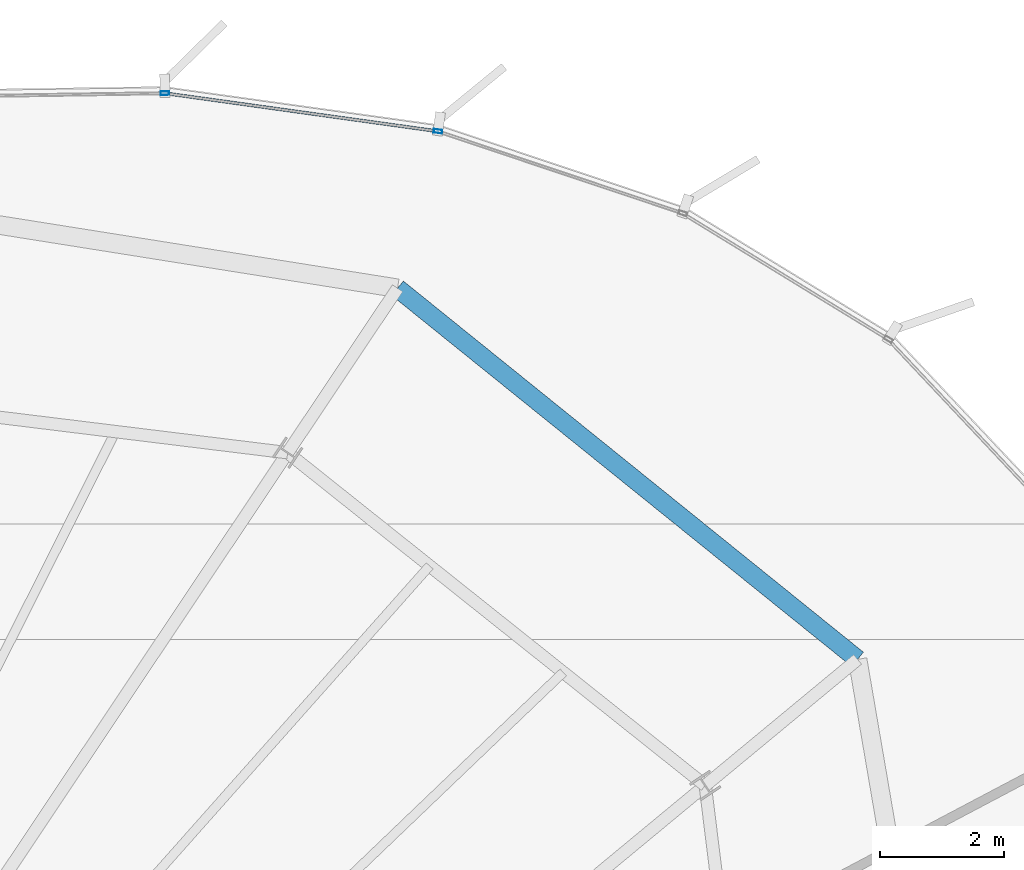
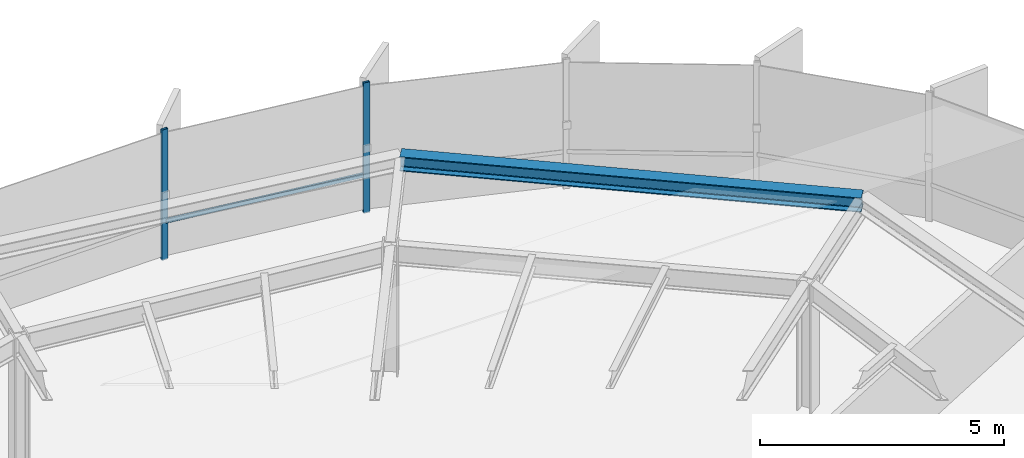
# One storey, part 26 of 36: 3 members, 1 beam, 1 element without a shape of its own.
"""IFC4 building model written with IfcOpenShell, lengths in metres."""

from ifc_helpers import new_model, si_unit, direction, frame, origin, origin_2d, place, context, subcontext, project, spatial, hollow_rectangle, i_section, extrude, source, transform, mapped, material, layer, layer_set, material_profile, profile_set, type_object, element, aggregate, save


model = new_model("IFC4")

# Units and contexts
model_context = context("Model", 3, precision=1e-05, world=origin(), true_north=direction((0.0, 1.0)))
body_context = subcontext(model_context, "Body", "Model", "MODEL_VIEW")
ifc_project = project(units=[si_unit("LENGTHUNIT", "METRE"), si_unit("AREAUNIT", "SQUARE_METRE"), si_unit("VOLUMEUNIT", "CUBIC_METRE"), si_unit("PLANEANGLEUNIT", "RADIAN"), si_unit("MASSUNIT", "GRAM", prefix="KILO"), si_unit("THERMODYNAMICTEMPERATUREUNIT", "KELVIN")], contexts=[model_context])

# Site, building, storey
site_placement = place(None, origin())
site = spatial("IfcSite", under=ifc_project, at=site_placement, CompositionType="ELEMENT")
building_placement = place(site_placement, origin())
building = spatial("IfcBuilding", under=site, at=building_placement, Name="Kethvar Cultural Tower", CompositionType="ELEMENT")
storey_placement = place(building_placement, frame((0.0, 0.0, 176.39990234375)))
storey = spatial("IfcBuildingStorey", under=building, at=storey_placement, Name="L45", CompositionType="ELEMENT", Elevation=176.39990234375)

# Beam
ifc_material_1 = material(Name="Steel S355J2", Category="steel")
ifc_material_profile_1 = material_profile(ifc_material_1, i_section(OverallWidth=0.300048828125, OverallDepth=0.360107421875, WebThickness=0.012451171875, FlangeThickness=0.0224609375, FilletRadius=0.027099609375, at=origin_2d()), Name="Steel S355J2 — HEB360")
ifc_profile_set_1 = profile_set([ifc_material_profile_1], Name="Steel S355J2 — HEB360")
beam_type = type_object("IfcBeamType", Name="BM-SP360", PredefinedType="SPANDREL", material=ifc_profile_set_1)
shared_shape_1 = source(origin(), body_context, "Body", "SweptSolid", [
    extrude(i_section(OverallWidth=0.300048828125, OverallDepth=0.360107421875, WebThickness=0.012451171875, FlangeThickness=0.0224609375, FilletRadius=0.027099609375, at=origin_2d()), origin(), (0.0, 0.0, 1.0), 9.563232421875),
])
beam_placement = place(storey_placement, frame((67.96923828125, 42.338134765625, 3.078125), z_axis=(-0.77833939171, 0.627843763458, 0.0), x_axis=(-0.627843763458, -0.77833939171, 0.0)))
element("IfcBeam", 1, at=beam_placement, inside=storey, type_object=beam_type, Name="L45 Perimeter Spandrel Beam SP-02", PredefinedType="SPANDREL", context=body_context, shape_type="MappedRepresentation", body=[
    mapped(shared_shape_1, transform((0.0, 0.0, 0.0), scale=1.0)),
])

# Curtain wall, members
ifc_material_2 = material(Name="Aluminium 6063-T6", Category="aluminium")
ifc_layer = layer(ifc_material_2, 0.179931640625, Name="Aluminium 6063-T6", Category="aluminium")
ifc_layer_set = layer_set([ifc_layer], Name="Aluminium 6063-T6 (180 mm)")
curtain_wall_type = type_object("IfcCurtainWallType", Name="CW-SYS-04-Z34", PredefinedType="NOTDEFINED", material=ifc_layer_set)
curtain_wall_placement = place(storey_placement, origin())
curtain_wall = element("IfcCurtainWall", 2, at=curtain_wall_placement, inside=storey, type_object=curtain_wall_type, Name="L45 Curtain Wall Run 01", PredefinedType="NOTDEFINED")
ifc_material_profile_2 = material_profile(ifc_material_2, hollow_rectangle(XDim=0.06005859375, YDim=0.139892578125, WallThickness=0.0048828125, at=origin_2d()), Name="Aluminium 6063-T6 — RHS140x60x5")
ifc_profile_set_2 = profile_set([ifc_material_profile_2], Name="Aluminium 6063-T6 — RHS140x60x5")
member_type_1 = type_object("IfcMemberType", Name="CW-SYS-04-Z34-MUL", PredefinedType="MULLION", material=ifc_profile_set_2)
shared_shape_2 = source(origin(), body_context, "Body", "SweptSolid", [
    extrude(hollow_rectangle(XDim=0.06005859375, YDim=0.139892578125, WallThickness=0.0048828125, at=origin_2d()), origin(), (0.0, 0.0, 1.0), 3.260009765625),
])
member_1_placement = place(storey_placement, frame((61.179931640625, 50.882080078125, 0.0), z_axis=(0.0, 0.0, 1.0), x_axis=(-0.137894010807, -0.9904469909, 0.0)))
member_1 = element("IfcMember", 3, at=member_1_placement, type_object=member_type_1, Name="CW-L45-R01 Mullion 4", PredefinedType="MULLION", context=body_context, shape_type="MappedRepresentation", body=[
    mapped(shared_shape_2, transform((0.0, 0.0, 0.0), scale=1.0)),
])
member_2_placement = place(storey_placement, frame((56.7626953125, 51.498291015625, 0.0), z_axis=(0.0, 0.0, 1.0), x_axis=(0.014869657209, -0.999889440536, 0.0)))
member_2 = element("IfcMember", 4, at=member_2_placement, type_object=member_type_1, Name="CW-L45-R01 Mullion 5", PredefinedType="MULLION", context=body_context, shape_type="MappedRepresentation", body=[
    mapped(shared_shape_2, transform((0.0, 0.0, 0.0), scale=1.0)),
])
ifc_material_profile_3 = material_profile(ifc_material_2, hollow_rectangle(XDim=0.050048828125, YDim=0.10009765625, WallThickness=0.00390625, at=origin_2d()), Name="Aluminium 6063-T6 — RHS100x50x4")
ifc_profile_set_3 = profile_set([ifc_material_profile_3], Name="Aluminium 6063-T6 — RHS100x50x4")
member_type_2 = type_object("IfcMemberType", Name="CW-SYS-04-Z34-TRN", PredefinedType="USERDEFINED", material=ifc_profile_set_3)
shared_shape_3 = source(origin(), body_context, "Body", "SweptSolid", [
    extrude(hollow_rectangle(XDim=0.050048828125, YDim=0.10009765625, WallThickness=0.00390625, at=origin_2d()), origin(), (0.0, 0.0, 1.0), 4.390380859375),
])
member_3_placement = place(storey_placement, frame((61.13720703125, 50.887939453125, 0.9501953125), z_axis=(-0.990444856667, 0.137909339427, 0.0), x_axis=(-0.137909339427, -0.990444856667, 0.0)))
member_3 = element("IfcMember", 5, at=member_3_placement, type_object=member_type_2, Name="CW-L45-R01 Transom 4", ObjectType="TRANSOM", PredefinedType="USERDEFINED", context=body_context, shape_type="MappedRepresentation", body=[
    mapped(shared_shape_3, transform((0.0, 0.0, 0.0), scale=1.0)),
])
aggregate(curtain_wall, [member_1, member_2, member_3])

save(model, "model.ifc")
